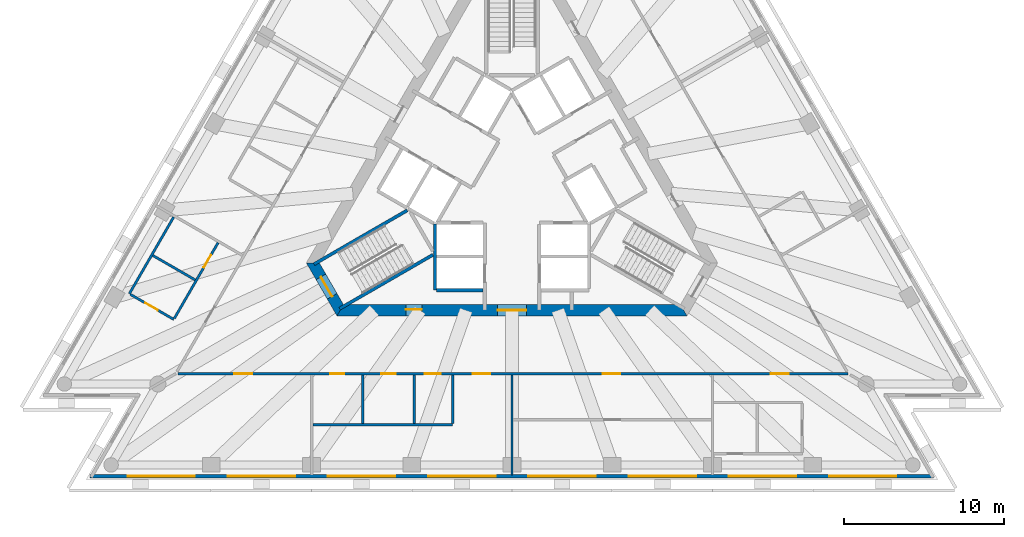
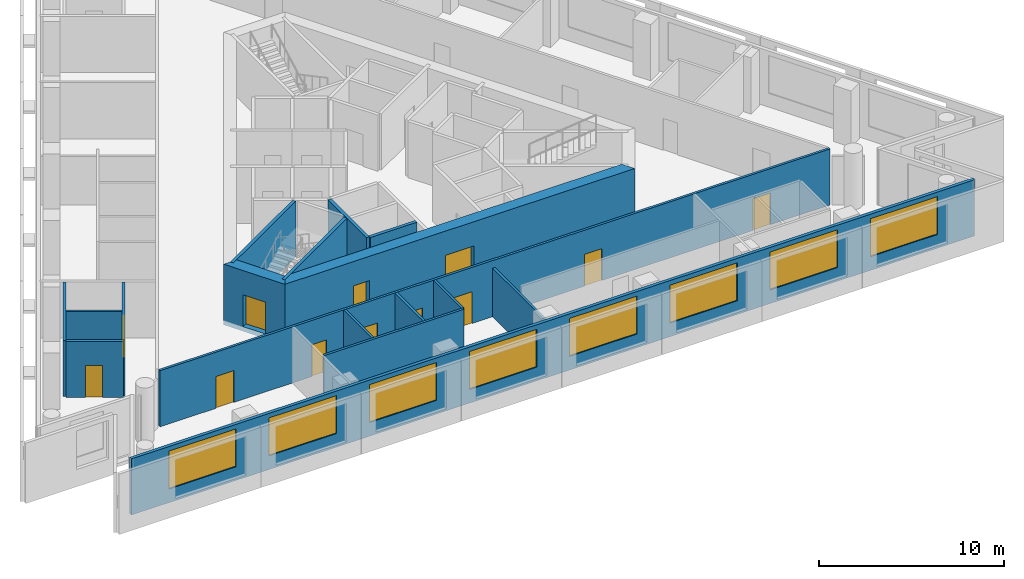
# One storey, part 3 of 10: 17 walls, 12 doors, 8 windows, 20 openings.
"""IFC4 building model written with IfcOpenShell, lengths in metres."""

from ifc_helpers import new_model, si_unit, direction, frame, frame_2d, origin, place, context, subcontext, project, spatial, polyline, rectangle, outline, extrude, material, layer, layer_set, layer_usage, type_object, element, fill, save


model = new_model("IFC4")

# Units and contexts
model_context = context("Model", 3, precision=1e-05, world=origin(), true_north=direction((0.0, 1.0)))
body_context = subcontext(model_context, "Body", "Model", "MODEL_VIEW")
ifc_project = project(units=[si_unit("LENGTHUNIT", "METRE"), si_unit("AREAUNIT", "SQUARE_METRE"), si_unit("VOLUMEUNIT", "CUBIC_METRE"), si_unit("PLANEANGLEUNIT", "RADIAN"), si_unit("MASSUNIT", "GRAM", prefix="KILO")], contexts=[model_context])

# Site, building, storey
site_placement = place(None, origin())
site = spatial("IfcSite", under=ifc_project, at=site_placement, CompositionType="ELEMENT")
building_placement = place(site_placement, origin())
building = spatial("IfcBuilding", under=site, at=building_placement, Name="Triada Interchange Tower", CompositionType="ELEMENT")
storey_placement = place(building_placement, frame((0.0, 0.0, 195.300048828125)))
storey = spatial("IfcBuildingStorey", under=building, at=storey_placement, Name="L45", CompositionType="ELEMENT", Elevation=195.300048828125)

# Walls
ifc_material_1 = material(Name="Concrete C30/37", Category="concrete")
ifc_layer_1 = layer(ifc_material_1, 0.199951171875)
ifc_layer_set_1 = layer_set([ifc_layer_1], Name="CORE WALL 200 EI 120")
wall_type_1 = type_object("IfcWallType", Name="CORE WALL 200 EI 120", PredefinedType="SOLIDWALL", material=ifc_layer_set_1)
wall_1_placement = place(storey_placement, frame((-4.800048828125, -6.89990234375, 0.0), z_axis=(0.0, 0.0, 1.0), x_axis=(0.0, 1.0, 0.0)))
element("IfcWall", 1, at=wall_1_placement, inside=storey, type_object=wall_type_1, Name="Wall L44 48", PredefinedType="SOLIDWALL", context=body_context, shape_type="SweptSolid", body=[
    extrude(rectangle(XDim=4.130859375, YDim=0.199951171875, at=frame_2d((2.0654296875, 0.0))), origin(), (0.0, 0.0, 1.0), 3.699951171875),
])
wall_2_placement = place(storey_placement, frame((-4.699951171875, -6.89990234375, 0.0), z_axis=(0.0, 0.0, 1.0), x_axis=(1.0, 0.0, 0.0)))
element("IfcWall", 2, at=wall_2_placement, inside=storey, type_object=wall_type_1, Name="Wall L44 49", PredefinedType="SOLIDWALL", context=body_context, shape_type="SweptSolid", body=[
    extrude(rectangle(XDim=2.89990234375, YDim=0.199951171875, at=frame_2d((1.449951171875, 0.0))), origin(), (0.0, 0.0, 1.0), 3.699951171875),
])
ifc_layer_2 = layer(ifc_material_1, 0.199951171875)
ifc_layer_set_2 = layer_set([ifc_layer_2], Name="CORE WALL 200 REI 240")
wall_type_2 = type_object("IfcWallType", Name="CORE WALL 200 REI 240", PredefinedType="SOLIDWALL", material=ifc_layer_set_2)
wall_3_placement = place(storey_placement, frame((-12.343994140625, -5.279052734375, 0.0), z_axis=(0.0, 0.0, 1.0), x_axis=(0.866046323291, 0.499963764601, 0.0)))
element("IfcWall", 3, at=wall_3_placement, inside=storey, type_object=wall_type_2, Name="Wall L44 88", PredefinedType="SOLIDWALL", context=body_context, shape_type="SweptSolid", body=[
    extrude(rectangle(XDim=6.71435546875, YDim=0.199951171875, at=frame_2d((3.357177734375, 0.0))), origin(), (0.0, 0.0, 1.0), 3.699951171875),
])
wall_4_placement = place(storey_placement, frame((-10.743896484375, -8.051025390625, 0.0), z_axis=(0.0, 0.0, 1.0), x_axis=(0.865983344943, 0.500072840975, 0.0)))
element("IfcWall", 4, at=wall_4_placement, inside=storey, type_object=wall_type_2, Name="Wall L44 90", PredefinedType="SOLIDWALL", context=body_context, shape_type="SweptSolid", body=[
    extrude(rectangle(XDim=6.71484375, YDim=0.199951171875, at=frame_2d((3.357421875, 0.0))), origin(), (0.0, 0.0, 1.0), 3.699951171875),
])

# Wall, opening, door
ifc_material_2 = material(Name="Concrete C50/60", Category="concrete")
ifc_layer_3 = layer(ifc_material_2, 0.699951171875)
ifc_layer_set_3 = layer_set([ifc_layer_3], Name="Core wall C 700")
wall_type_3 = type_object("IfcWallType", Name="Core wall C 700", PredefinedType="SHEAR", material=ifc_layer_set_3)
wall_5_placement = place(storey_placement, frame((-12.4130859375, -5.199951171875, -0.300048828125), z_axis=(0.0, 0.0, 1.0), x_axis=(0.49999337185, -0.866029230515, 0.0)))
wall_5 = element("IfcWall", 5, at=wall_5_placement, inside=storey, type_object=wall_type_3, Name="Core wall WC03 L45", PredefinedType="SHEAR", context=body_context, shape_type="SweptSolid", body=[
    extrude(outline(polyline([(-0.201904296875, -0.35009765625), (1.703125, -0.35009765625), (3.60791015625, -0.35009765625), (3.2041015625, 0.35009765625), (1.703125, 0.35009765625), (0.201904296875, 0.35009765625), (-0.201904296875, -0.35009765625)])), origin(), (0.0, 0.0, 1.0), 4.0),
])
opening_1_placement = place(wall_5_placement, frame((1.0029296875, 0.0, 0.300048828125)))
opening_1 = element("IfcOpeningElement", 6, at=opening_1_placement, cuts=wall_5, Name="Opening D44-41", PredefinedType="OPENING", context=body_context, shape_type="SweptSolid", body=[
    extrude(rectangle(XDim=1.39990234375, YDim=2.10009765625, at=frame_2d((0.699951171875, 1.050048828125))), frame((0.0, 0.360107421875, 0.0), z_axis=(0.0, -1.0, 0.0), x_axis=(1.0, 0.0, 0.0)), (0.0, 0.0, 1.0), 0.72021484375),
])
ifc_material_3 = material(Name="Steel S235 door leaf", Category="steel")
door_type_1 = type_object("IfcDoorType", Name="STAIR DOOR 1400 EI2 90-C5S200", OperationType="DOUBLE_DOOR_SINGLE_SWING", PredefinedType="DOOR", material=ifc_material_3)
door_1_placement = place(opening_1_placement, origin())
door_1 = element("IfcDoor", 7, at=door_1_placement, inside=storey, type_object=door_type_1, Name="Door D44-41 L45", OperationType="DOUBLE_DOOR_SINGLE_SWING", OverallHeight=2.10009765625, OverallWidth=1.39990234375, PredefinedType="DOOR", context=body_context, shape_type="SweptSolid", body=[
    extrude(rectangle(XDim=1.39990234375, YDim=2.10009765625, at=frame_2d((0.699951171875, 1.050048828125))), frame((0.0, 0.02490234375, 0.0), z_axis=(0.0, -1.0, 0.0), x_axis=(1.0, 0.0, 0.0)), (0.0, 0.0, 1.0), 0.050048828125),
])
fill(opening_1, door_1)

# Wall, openings, doors
wall_6_placement = place(storey_placement, frame((-10.7099609375, -8.14990234375, -0.300048828125), z_axis=(0.0, 0.0, 1.0), x_axis=(1.0, 0.0, 0.0)))
wall_6 = element("IfcWall", 8, at=wall_6_placement, inside=storey, type_object=wall_type_3, Name="Core wall WC04 L45", PredefinedType="SHEAR", context=body_context, shape_type="SweptSolid", body=[
    extrude(outline(polyline([(-0.201904296875, -0.35009765625), (1.781982421875, -0.35009765625), (3.76611328125, -0.35009765625), (5.75, -0.35009765625), (7.734130859375, -0.35009765625), (9.718017578125, -0.35009765625), (11.7021484375, -0.35009765625), (13.68603515625, -0.35009765625), (15.670166015625, -0.35009765625), (17.654052734375, -0.35009765625), (19.63818359375, -0.35009765625), (21.6220703125, -0.35009765625), (21.218017578125, 0.35009765625), (19.307373046875, 0.35009765625), (17.39697265625, 0.35009765625), (15.486328125, 0.35009765625), (13.57568359375, 0.35009765625), (11.665283203125, 0.35009765625), (9.754638671875, 0.35009765625), (7.84423828125, 0.35009765625), (5.93359375, 0.35009765625), (4.02294921875, 0.35009765625), (2.112548828125, 0.35009765625), (0.201904296875, 0.35009765625), (-0.201904296875, -0.35009765625)])), origin(), (0.0, 0.0, 1.0), 4.0),
])
opening_2_placement = place(wall_6_placement, frame((9.81005859375, 0.0, 0.300048828125)))
opening_2 = element("IfcOpeningElement", 9, at=opening_2_placement, cuts=wall_6, Name="Opening D44-39", PredefinedType="OPENING", context=body_context, shape_type="SweptSolid", body=[
    extrude(rectangle(XDim=1.800048828125, YDim=2.10009765625, at=frame_2d((0.89990234375, 1.050048828125))), frame((0.0, 0.360107421875, 0.0), z_axis=(0.0, -1.0, 0.0), x_axis=(1.0, 0.0, 0.0)), (0.0, 0.0, 1.0), 0.72021484375),
])
opening_3_placement = place(wall_6_placement, frame((4.090087890625, 0.0, 0.300048828125)))
opening_3 = element("IfcOpeningElement", 10, at=opening_3_placement, cuts=wall_6, Name="Opening D44-44", PredefinedType="OPENING", context=body_context, shape_type="SweptSolid", body=[
    extrude(rectangle(XDim=1.0, YDim=2.10009765625, at=frame_2d((0.5, 1.050048828125))), frame((0.0, 0.360107421875, 0.0), z_axis=(0.0, -1.0, 0.0), x_axis=(1.0, 0.0, 0.0)), (0.0, 0.0, 1.0), 0.72021484375),
])
door_type_2 = type_object("IfcDoorType", Name="LOBBY DOOR 1800 EI2 90-C5S200", OperationType="DOUBLE_DOOR_SINGLE_SWING", PredefinedType="DOOR", material=ifc_material_3)
door_2_placement = place(opening_2_placement, origin())
door_2 = element("IfcDoor", 11, at=door_2_placement, inside=storey, type_object=door_type_2, Name="Door D44-39 L45", OperationType="DOUBLE_DOOR_SINGLE_SWING", OverallHeight=2.10009765625, OverallWidth=1.800048828125, PredefinedType="DOOR", context=body_context, shape_type="SweptSolid", body=[
    extrude(rectangle(XDim=1.800048828125, YDim=2.10009765625, at=frame_2d((0.89990234375, 1.050048828125))), frame((0.0, 0.02490234375, 0.0), z_axis=(0.0, -1.0, 0.0), x_axis=(1.0, 0.0, 0.0)), (0.0, 0.0, 1.0), 0.050048828125),
])
fill(opening_2, door_2)
door_type_3 = type_object("IfcDoorType", Name="SERVICE DOOR 1000 EI2 45-C5S200", OperationType="NOTDEFINED", PredefinedType="DOOR", material=ifc_material_3)
door_3_placement = place(opening_3_placement, origin())
door_3 = element("IfcDoor", 12, at=door_3_placement, inside=storey, type_object=door_type_3, Name="Door D44-44 L45", OperationType="SINGLE_SWING_RIGHT", OverallHeight=2.10009765625, OverallWidth=1.0, PredefinedType="DOOR", context=body_context, shape_type="SweptSolid", body=[
    extrude(rectangle(XDim=1.0, YDim=2.10009765625, at=frame_2d((0.5, 1.050048828125))), frame((0.0, 0.0751953125, 0.0), z_axis=(0.0, -1.0, 0.0), x_axis=(1.0, 0.0, 0.0)), (0.0, 0.0, 1.0), 0.050048828125),
])
fill(opening_3, door_3)

# Wall, openings, windows
ifc_material_4 = material(Name="Cement board")
ifc_layer_4 = layer(ifc_material_4, 0.02001953125, Name="Cement board cladding")
ifc_material_5 = material(Name="Sheathing board")
ifc_layer_5 = layer(ifc_material_5, 0.014892578125, Name="Sheathing board")
ifc_material_6 = material(Name="Mineral wool")
ifc_layer_6 = layer(ifc_material_6, 0.14990234375, Name="Mineral wool between steel studs")
ifc_material_7 = material(Name="Gypsum board")
ifc_layer_7 = layer(ifc_material_7, 0.014892578125, Name="Plasterboard lining")
ifc_layer_set_4 = layer_set([ifc_layer_4, ifc_layer_5, ifc_layer_6, ifc_layer_7], Name="External wall 200")
ifc_layer_usage = layer_usage(ifc_layer_set_4, "AXIS2", "POSITIVE", -0.10009765625)
wall_type_4 = type_object("IfcWallType", Name="External wall 200", PredefinedType="ELEMENTEDWALL", material=ifc_layer_set_4)
wall_7_placement = place(storey_placement, frame((-26.2958984375, -18.4951171875, 0.0), z_axis=(0.0, 0.0, 1.0), x_axis=(1.0, 0.0, 0.0)))
wall_7 = element("IfcWall", 13, at=wall_7_placement, inside=storey, type_object=wall_type_4, material=ifc_layer_usage, Name="External wall L45 S", PredefinedType="ELEMENTEDWALL", context=body_context, shape_type="SweptSolid", body=[
    extrude(rectangle(XDim=52.57177734375, YDim=0.199951171875, at=frame_2d((26.285888671875, 0.0))), origin(), (0.0, 0.0, 1.0), 3.699951171875),
])
opening_4_placement = place(wall_7_placement, frame((2.326904296875, 0.0, 0.89990234375)))
opening_4 = element("IfcOpeningElement", 14, at=opening_4_placement, cuts=wall_7, Name="Opening WC11", PredefinedType="OPENING", context=body_context, shape_type="SweptSolid", body=[
    extrude(rectangle(XDim=4.199951171875, YDim=2.5, at=frame_2d((2.10009765625, 1.25))), frame((0.0, 0.10986328125, 0.0), z_axis=(0.0, -1.0, 0.0), x_axis=(1.0, 0.0, 0.0)), (0.0, 0.0, 1.0), 0.219970703125),
])
opening_5_placement = place(wall_7_placement, frame((8.574951171875, 0.0, 0.89990234375)))
opening_5 = element("IfcOpeningElement", 15, at=opening_5_placement, cuts=wall_7, Name="Opening WC12", PredefinedType="OPENING", context=body_context, shape_type="SweptSolid", body=[
    extrude(rectangle(XDim=4.199951171875, YDim=2.5, at=frame_2d((2.10009765625, 1.25))), frame((0.0, 0.10986328125, 0.0), z_axis=(0.0, -1.0, 0.0), x_axis=(1.0, 0.0, 0.0)), (0.0, 0.0, 1.0), 0.219970703125),
])
opening_6_placement = place(wall_7_placement, frame((14.823974609375, 0.0, 0.89990234375)))
opening_6 = element("IfcOpeningElement", 16, at=opening_6_placement, cuts=wall_7, Name="Opening WC13", PredefinedType="OPENING", context=body_context, shape_type="SweptSolid", body=[
    extrude(rectangle(XDim=4.199951171875, YDim=2.5, at=frame_2d((2.10009765625, 1.25))), frame((0.0, 0.10986328125, 0.0), z_axis=(0.0, -1.0, 0.0), x_axis=(1.0, 0.0, 0.0)), (0.0, 0.0, 1.0), 0.219970703125),
])
opening_7_placement = place(wall_7_placement, frame((21.072021484375, 0.0, 0.89990234375)))
opening_7 = element("IfcOpeningElement", 17, at=opening_7_placement, cuts=wall_7, Name="Opening WC14", PredefinedType="OPENING", context=body_context, shape_type="SweptSolid", body=[
    extrude(rectangle(XDim=4.199951171875, YDim=2.5, at=frame_2d((2.10009765625, 1.25))), frame((0.0, 0.10986328125, 0.0), z_axis=(0.0, -1.0, 0.0), x_axis=(1.0, 0.0, 0.0)), (0.0, 0.0, 1.0), 0.219970703125),
])
opening_8_placement = place(wall_7_placement, frame((27.320068359375, 0.0, 0.89990234375)))
opening_8 = element("IfcOpeningElement", 18, at=opening_8_placement, cuts=wall_7, Name="Opening WC15", PredefinedType="OPENING", context=body_context, shape_type="SweptSolid", body=[
    extrude(rectangle(XDim=4.199951171875, YDim=2.5, at=frame_2d((2.10009765625, 1.25))), frame((0.0, 0.10986328125, 0.0), z_axis=(0.0, -1.0, 0.0), x_axis=(1.0, 0.0, 0.0)), (0.0, 0.0, 1.0), 0.219970703125),
])
opening_9_placement = place(wall_7_placement, frame((33.568115234375, 0.0, 0.89990234375)))
opening_9 = element("IfcOpeningElement", 19, at=opening_9_placement, cuts=wall_7, Name="Opening WC16", PredefinedType="OPENING", context=body_context, shape_type="SweptSolid", body=[
    extrude(rectangle(XDim=4.199951171875, YDim=2.5, at=frame_2d((2.10009765625, 1.25))), frame((0.0, 0.10986328125, 0.0), z_axis=(0.0, -1.0, 0.0), x_axis=(1.0, 0.0, 0.0)), (0.0, 0.0, 1.0), 0.219970703125),
])
opening_10_placement = place(wall_7_placement, frame((39.81689453125, 0.0, 0.89990234375)))
opening_10 = element("IfcOpeningElement", 20, at=opening_10_placement, cuts=wall_7, Name="Opening WC17", PredefinedType="OPENING", context=body_context, shape_type="SweptSolid", body=[
    extrude(rectangle(XDim=4.199951171875, YDim=2.5, at=frame_2d((2.10009765625, 1.25))), frame((0.0, 0.10986328125, 0.0), z_axis=(0.0, -1.0, 0.0), x_axis=(1.0, 0.0, 0.0)), (0.0, 0.0, 1.0), 0.219970703125),
])
opening_11_placement = place(wall_7_placement, frame((46.06494140625, 0.0, 0.89990234375)))
opening_11 = element("IfcOpeningElement", 21, at=opening_11_placement, cuts=wall_7, Name="Opening WC18", PredefinedType="OPENING", context=body_context, shape_type="SweptSolid", body=[
    extrude(rectangle(XDim=4.199951171875, YDim=2.5, at=frame_2d((2.10009765625, 1.25))), frame((0.0, 0.10986328125, 0.0), z_axis=(0.0, -1.0, 0.0), x_axis=(1.0, 0.0, 0.0)), (0.0, 0.0, 1.0), 0.219970703125),
])
ifc_material_8 = material(Name="Double glazed aluminium window", Category="aluminium")
window_type = type_object("IfcWindowType", Name="Ribbon window C face", PartitioningType="SINGLE_PANEL", PredefinedType="WINDOW", material=ifc_material_8)
window_1_placement = place(opening_4_placement, origin())
window_1 = element("IfcWindow", 22, at=window_1_placement, inside=storey, type_object=window_type, Name="Window L45 S 1", OverallHeight=2.5, OverallWidth=4.199951171875, PartitioningType="SINGLE_PANEL", PredefinedType="WINDOW", context=body_context, shape_type="SweptSolid", body=[
    extrude(rectangle(XDim=4.199951171875, YDim=2.5, at=frame_2d((2.10009765625, 1.25))), frame((0.0, 0.030029296875, 0.0), z_axis=(0.0, -1.0, 0.0), x_axis=(1.0, 0.0, 0.0)), (0.0, 0.0, 1.0), 0.06005859375),
])
fill(opening_4, window_1)
window_2_placement = place(opening_5_placement, origin())
window_2 = element("IfcWindow", 23, at=window_2_placement, inside=storey, type_object=window_type, Name="Window L45 S 2", OverallHeight=2.5, OverallWidth=4.199951171875, PartitioningType="SINGLE_PANEL", PredefinedType="WINDOW", context=body_context, shape_type="SweptSolid", body=[
    extrude(rectangle(XDim=4.199951171875, YDim=2.5, at=frame_2d((2.10009765625, 1.25))), frame((0.0, 0.030029296875, 0.0), z_axis=(0.0, -1.0, 0.0), x_axis=(1.0, 0.0, 0.0)), (0.0, 0.0, 1.0), 0.06005859375),
])
fill(opening_5, window_2)
window_3_placement = place(opening_6_placement, origin())
window_3 = element("IfcWindow", 24, at=window_3_placement, inside=storey, type_object=window_type, Name="Window L45 S 3", OverallHeight=2.5, OverallWidth=4.199951171875, PartitioningType="SINGLE_PANEL", PredefinedType="WINDOW", context=body_context, shape_type="SweptSolid", body=[
    extrude(rectangle(XDim=4.199951171875, YDim=2.5, at=frame_2d((2.10009765625, 1.25))), frame((0.0, 0.030029296875, 0.0), z_axis=(0.0, -1.0, 0.0), x_axis=(1.0, 0.0, 0.0)), (0.0, 0.0, 1.0), 0.06005859375),
])
fill(opening_6, window_3)
window_4_placement = place(opening_7_placement, origin())
window_4 = element("IfcWindow", 25, at=window_4_placement, inside=storey, type_object=window_type, Name="Window L45 S 4", OverallHeight=2.5, OverallWidth=4.199951171875, PartitioningType="SINGLE_PANEL", PredefinedType="WINDOW", context=body_context, shape_type="SweptSolid", body=[
    extrude(rectangle(XDim=4.199951171875, YDim=2.5, at=frame_2d((2.10009765625, 1.25))), frame((0.0, 0.030029296875, 0.0), z_axis=(0.0, -1.0, 0.0), x_axis=(1.0, 0.0, 0.0)), (0.0, 0.0, 1.0), 0.06005859375),
])
fill(opening_7, window_4)
window_5_placement = place(opening_8_placement, origin())
window_5 = element("IfcWindow", 26, at=window_5_placement, inside=storey, type_object=window_type, Name="Window L45 S 5", OverallHeight=2.5, OverallWidth=4.199951171875, PartitioningType="SINGLE_PANEL", PredefinedType="WINDOW", context=body_context, shape_type="SweptSolid", body=[
    extrude(rectangle(XDim=4.199951171875, YDim=2.5, at=frame_2d((2.10009765625, 1.25))), frame((0.0, 0.030029296875, 0.0), z_axis=(0.0, -1.0, 0.0), x_axis=(1.0, 0.0, 0.0)), (0.0, 0.0, 1.0), 0.06005859375),
])
fill(opening_8, window_5)
window_6_placement = place(opening_9_placement, origin())
window_6 = element("IfcWindow", 27, at=window_6_placement, inside=storey, type_object=window_type, Name="Window L45 S 6", OverallHeight=2.5, OverallWidth=4.199951171875, PartitioningType="SINGLE_PANEL", PredefinedType="WINDOW", context=body_context, shape_type="SweptSolid", body=[
    extrude(rectangle(XDim=4.199951171875, YDim=2.5, at=frame_2d((2.10009765625, 1.25))), frame((0.0, 0.030029296875, 0.0), z_axis=(0.0, -1.0, 0.0), x_axis=(1.0, 0.0, 0.0)), (0.0, 0.0, 1.0), 0.06005859375),
])
fill(opening_9, window_6)
window_7_placement = place(opening_10_placement, origin())
window_7 = element("IfcWindow", 28, at=window_7_placement, inside=storey, type_object=window_type, Name="Window L45 S 7", OverallHeight=2.5, OverallWidth=4.199951171875, PartitioningType="SINGLE_PANEL", PredefinedType="WINDOW", context=body_context, shape_type="SweptSolid", body=[
    extrude(rectangle(XDim=4.199951171875, YDim=2.5, at=frame_2d((2.10009765625, 1.25))), frame((0.0, 0.030029296875, 0.0), z_axis=(0.0, -1.0, 0.0), x_axis=(1.0, 0.0, 0.0)), (0.0, 0.0, 1.0), 0.06005859375),
])
fill(opening_10, window_7)
window_8_placement = place(opening_11_placement, origin())
window_8 = element("IfcWindow", 29, at=window_8_placement, inside=storey, type_object=window_type, Name="Window L45 S 8", OverallHeight=2.5, OverallWidth=4.199951171875, PartitioningType="SINGLE_PANEL", PredefinedType="WINDOW", context=body_context, shape_type="SweptSolid", body=[
    extrude(rectangle(XDim=4.199951171875, YDim=2.5, at=frame_2d((2.10009765625, 1.25))), frame((0.0, 0.030029296875, 0.0), z_axis=(0.0, -1.0, 0.0), x_axis=(1.0, 0.0, 0.0)), (0.0, 0.0, 1.0), 0.06005859375),
])
fill(opening_11, window_8)

# Wall, openings, doors
ifc_material_9 = material(Name="Gypsum board partition")
ifc_layer_8 = layer(ifc_material_9, 0.14990234375)
ifc_layer_set_5 = layer_set([ifc_layer_8], Name="PARTITION 150 EI 180")
wall_type_5 = type_object("IfcWallType", Name="PARTITION 150 EI 180", PredefinedType="PARTITIONING", material=ifc_layer_set_5)
wall_8_placement = place(storey_placement, frame((-20.80810546875, -12.10009765625, 0.0), z_axis=(0.0, 0.0, 1.0), x_axis=(1.0, 0.0, 0.0)))
wall_8 = element("IfcWall", 30, at=wall_8_placement, inside=storey, type_object=wall_type_5, Name="Wall L44 5", PredefinedType="PARTITIONING", context=body_context, shape_type="SweptSolid", body=[
    extrude(rectangle(XDim=41.76611328125, YDim=0.14990234375, at=frame_2d((20.883056640625, 0.0))), origin(), (0.0, 0.0, 1.0), 3.699951171875),
])
opening_12_placement = place(wall_8_placement, frame((3.5, 0.0, 0.0)))
opening_12 = element("IfcOpeningElement", 31, at=opening_12_placement, cuts=wall_8, Name="Opening D44-11", PredefinedType="OPENING", context=body_context, shape_type="SweptSolid", body=[
    extrude(rectangle(XDim=1.10009765625, YDim=2.10009765625, at=frame_2d((0.550048828125, 1.050048828125))), frame((0.0, 0.0849609375, 0.0), z_axis=(0.0, -1.0, 0.0), x_axis=(1.0, 0.0, 0.0)), (0.0, 0.0, 1.0), 0.169921875),
])
opening_13_placement = place(wall_8_placement, frame((18.362060546875, 0.0, 0.0)))
opening_13 = element("IfcOpeningElement", 32, at=opening_13_placement, cuts=wall_8, Name="Opening D44-12", PredefinedType="OPENING", context=body_context, shape_type="SweptSolid", body=[
    extrude(rectangle(XDim=1.10009765625, YDim=2.10009765625, at=frame_2d((0.550048828125, 1.050048828125))), frame((0.0, 0.0849609375, 0.0), z_axis=(0.0, -1.0, 0.0), x_axis=(1.0, 0.0, 0.0)), (0.0, 0.0, 1.0), 0.169921875),
])
opening_14_placement = place(wall_8_placement, frame((9.4619140625, 0.0, 0.0)))
opening_14 = element("IfcOpeningElement", 33, at=opening_14_placement, cuts=wall_8, Name="Opening D44-13", PredefinedType="OPENING", context=body_context, shape_type="SweptSolid", body=[
    extrude(rectangle(XDim=0.89990234375, YDim=2.10009765625, at=frame_2d((0.449951171875, 1.050048828125))), frame((0.0, 0.0849609375, 0.0), z_axis=(0.0, -1.0, 0.0), x_axis=(1.0, 0.0, 0.0)), (0.0, 0.0, 1.0), 0.169921875),
])
opening_15_placement = place(wall_8_placement, frame((12.662109375, 0.0, 0.0)))
opening_15 = element("IfcOpeningElement", 34, at=opening_15_placement, cuts=wall_8, Name="Opening D44-14", PredefinedType="OPENING", context=body_context, shape_type="SweptSolid", body=[
    extrude(rectangle(XDim=0.89990234375, YDim=2.10009765625, at=frame_2d((0.449951171875, 1.050048828125))), frame((0.0, 0.0849609375, 0.0), z_axis=(0.0, -1.0, 0.0), x_axis=(1.0, 0.0, 0.0)), (0.0, 0.0, 1.0), 0.169921875),
])
opening_16_placement = place(wall_8_placement, frame((15.362060546875, 0.0, 0.0)))
opening_16 = element("IfcOpeningElement", 35, at=opening_16_placement, cuts=wall_8, Name="Opening D44-15", PredefinedType="OPENING", context=body_context, shape_type="SweptSolid", body=[
    extrude(rectangle(XDim=1.0, YDim=2.10009765625, at=frame_2d((0.5, 1.050048828125))), frame((0.0, 0.0849609375, 0.0), z_axis=(0.0, -1.0, 0.0), x_axis=(1.0, 0.0, 0.0)), (0.0, 0.0, 1.0), 0.169921875),
])
opening_17_placement = place(wall_8_placement, frame((26.4580078125, 0.0, 0.0)))
opening_17 = element("IfcOpeningElement", 36, at=opening_17_placement, cuts=wall_8, Name="Opening D44-16", PredefinedType="OPENING", context=body_context, shape_type="SweptSolid", body=[
    extrude(rectangle(XDim=1.10009765625, YDim=2.10009765625, at=frame_2d((0.550048828125, 1.050048828125))), frame((0.0, 0.0849609375, 0.0), z_axis=(0.0, -1.0, 0.0), x_axis=(1.0, 0.0, 0.0)), (0.0, 0.0, 1.0), 0.169921875),
])
opening_18_placement = place(wall_8_placement, frame((36.955078125, 0.0, 0.0)))
opening_18 = element("IfcOpeningElement", 37, at=opening_18_placement, cuts=wall_8, Name="Opening D44-18", PredefinedType="OPENING", context=body_context, shape_type="SweptSolid", body=[
    extrude(rectangle(XDim=1.10009765625, YDim=2.10009765625, at=frame_2d((0.550048828125, 1.050048828125))), frame((0.0, 0.0849609375, 0.0), z_axis=(0.0, -1.0, 0.0), x_axis=(1.0, 0.0, 0.0)), (0.0, 0.0, 1.0), 0.169921875),
])
door_type_4 = type_object("IfcDoorType", Name="ROOM DOOR 1000 EI2 90-C5S200", OperationType="NOTDEFINED", PredefinedType="DOOR", material=ifc_material_3)
door_4_placement = place(opening_16_placement, origin())
door_4 = element("IfcDoor", 38, at=door_4_placement, inside=storey, type_object=door_type_4, Name="Door D44-15 L45", OperationType="SINGLE_SWING_LEFT", OverallHeight=2.10009765625, OverallWidth=1.0, PredefinedType="DOOR", context=body_context, shape_type="SweptSolid", body=[
    extrude(rectangle(XDim=1.0, YDim=2.10009765625, at=frame_2d((0.5, 1.050048828125))), frame((0.0, 0.02490234375, 0.0), z_axis=(0.0, -1.0, 0.0), x_axis=(1.0, 0.0, 0.0)), (0.0, 0.0, 1.0), 0.050048828125),
])
fill(opening_16, door_4)
door_type_5 = type_object("IfcDoorType", Name="ROOM DOOR 900 EI2 90-C5S200", OperationType="NOTDEFINED", PredefinedType="DOOR", material=ifc_material_3)
door_5_placement = place(opening_14_placement, origin())
door_5 = element("IfcDoor", 39, at=door_5_placement, inside=storey, type_object=door_type_5, Name="Door D44-13 L45", OperationType="SINGLE_SWING_RIGHT", OverallHeight=2.10009765625, OverallWidth=0.89990234375, PredefinedType="DOOR", context=body_context, shape_type="SweptSolid", body=[
    extrude(rectangle(XDim=0.89990234375, YDim=2.10009765625, at=frame_2d((0.449951171875, 1.050048828125))), frame((0.0, 0.02490234375, 0.0), z_axis=(0.0, -1.0, 0.0), x_axis=(1.0, 0.0, 0.0)), (0.0, 0.0, 1.0), 0.050048828125),
])
fill(opening_14, door_5)
door_6_placement = place(opening_15_placement, origin())
door_6 = element("IfcDoor", 40, at=door_6_placement, inside=storey, type_object=door_type_5, Name="Door D44-14 L45", OperationType="SINGLE_SWING_RIGHT", OverallHeight=2.10009765625, OverallWidth=0.89990234375, PredefinedType="DOOR", context=body_context, shape_type="SweptSolid", body=[
    extrude(rectangle(XDim=0.89990234375, YDim=2.10009765625, at=frame_2d((0.449951171875, 1.050048828125))), frame((0.0, 0.02490234375, 0.0), z_axis=(0.0, -1.0, 0.0), x_axis=(1.0, 0.0, 0.0)), (0.0, 0.0, 1.0), 0.050048828125),
])
fill(opening_15, door_6)
door_type_6 = type_object("IfcDoorType", Name="TENANCY ENTRANCE DOOR 1100 EI2 90-C5S200", OperationType="NOTDEFINED", PredefinedType="DOOR", material=ifc_material_3)
door_7_placement = place(opening_12_placement, origin())
door_7 = element("IfcDoor", 41, at=door_7_placement, inside=storey, type_object=door_type_6, Name="Door D44-11 L45", OperationType="SINGLE_SWING_RIGHT", OverallHeight=2.10009765625, OverallWidth=1.10009765625, PredefinedType="DOOR", context=body_context, shape_type="SweptSolid", body=[
    extrude(rectangle(XDim=1.10009765625, YDim=2.10009765625, at=frame_2d((0.550048828125, 1.050048828125))), frame((0.0, 0.02490234375, 0.0), z_axis=(0.0, -1.0, 0.0), x_axis=(1.0, 0.0, 0.0)), (0.0, 0.0, 1.0), 0.050048828125),
])
fill(opening_12, door_7)
door_8_placement = place(opening_13_placement, origin())
door_8 = element("IfcDoor", 42, at=door_8_placement, inside=storey, type_object=door_type_6, Name="Door D44-12 L45", OperationType="SINGLE_SWING_LEFT", OverallHeight=2.10009765625, OverallWidth=1.10009765625, PredefinedType="DOOR", context=body_context, shape_type="SweptSolid", body=[
    extrude(rectangle(XDim=1.10009765625, YDim=2.10009765625, at=frame_2d((0.550048828125, 1.050048828125))), frame((0.0, 0.02490234375, 0.0), z_axis=(0.0, -1.0, 0.0), x_axis=(1.0, 0.0, 0.0)), (0.0, 0.0, 1.0), 0.050048828125),
])
fill(opening_13, door_8)
door_9_placement = place(opening_17_placement, origin())
door_9 = element("IfcDoor", 43, at=door_9_placement, inside=storey, type_object=door_type_6, Name="Door D44-16 L45", OperationType="SINGLE_SWING_LEFT", OverallHeight=2.10009765625, OverallWidth=1.10009765625, PredefinedType="DOOR", context=body_context, shape_type="SweptSolid", body=[
    extrude(rectangle(XDim=1.10009765625, YDim=2.10009765625, at=frame_2d((0.550048828125, 1.050048828125))), frame((0.0, 0.02490234375, 0.0), z_axis=(0.0, -1.0, 0.0), x_axis=(1.0, 0.0, 0.0)), (0.0, 0.0, 1.0), 0.050048828125),
])
fill(opening_17, door_9)
door_10_placement = place(opening_18_placement, origin())
door_10 = element("IfcDoor", 44, at=door_10_placement, inside=storey, type_object=door_type_6, Name="Door D44-18 L45", OperationType="SINGLE_SWING_LEFT", OverallHeight=2.10009765625, OverallWidth=1.10009765625, PredefinedType="DOOR", context=body_context, shape_type="SweptSolid", body=[
    extrude(rectangle(XDim=1.10009765625, YDim=2.10009765625, at=frame_2d((0.550048828125, 1.050048828125))), frame((0.0, 0.02490234375, 0.0), z_axis=(0.0, -1.0, 0.0), x_axis=(1.0, 0.0, 0.0)), (0.0, 0.0, 1.0), 0.050048828125),
])
fill(opening_18, door_10)

# Walls
wall_9_placement = place(storey_placement, frame((-12.4208984375, -15.297119140625, 0.0), z_axis=(0.0, 0.0, 1.0), x_axis=(1.0, 0.0, 0.0)))
element("IfcWall", 45, at=wall_9_placement, inside=storey, type_object=wall_type_5, Name="Wall L44 14", PredefinedType="PARTITIONING", context=body_context, shape_type="SweptSolid", body=[
    extrude(rectangle(XDim=8.724853515625, YDim=0.14990234375, at=frame_2d((4.3623046875, 0.0))), origin(), (0.0, 0.0, 1.0), 3.699951171875),
])
for number, where, z_axis, x_axis, name in (
    (46, (-9.2958984375, -15.221923828125, 0.0), (0.0, 0.0, 1.0), (0.0, 1.0, 0.0), "Wall L44 16"),
    (47, (-3.696044921875, -15.221923828125, 0.0), (0.0, 0.0, 1.0), (0.0, 1.0, 0.0), "Wall L44 17"),
    (48, (-6.095947265625, -15.221923828125, 0.0), (0.0, 0.0, 1.0), (0.0, 1.0, 0.0), "Wall L44 18"),
):
    element("IfcWall", number, at=place(storey_placement, frame(where, z_axis=z_axis, x_axis=x_axis)), inside=storey, type_object=wall_type_5, Name=name, PredefinedType="PARTITIONING", context=body_context, shape_type="SweptSolid", body=[
        extrude(rectangle(XDim=3.046875, YDim=0.14990234375, at=frame_2d((1.5234375, 0.0))), origin(), (0.0, 0.0, 1.0), 3.699951171875),
    ])
wall_10_placement = place(storey_placement, frame((0.0, -18.4150390625, 0.0), z_axis=(0.0, 0.0, 1.0), x_axis=(0.0, 1.0, 0.0)))
element("IfcWall", 49, at=wall_10_placement, inside=storey, type_object=wall_type_5, Name="Wall L44 19", PredefinedType="PARTITIONING", context=body_context, shape_type="SweptSolid", body=[
    extrude(rectangle(XDim=6.239990234375, YDim=0.14990234375, at=frame_2d((3.1201171875, 0.0))), origin(), (0.0, 0.0, 1.0), 3.199951171875),
])
ifc_layer_9 = layer(ifc_material_9, 0.14990234375)
ifc_layer_set_6 = layer_set([ifc_layer_9], Name="PARTITION 150 EI 90")
wall_type_6 = type_object("IfcWallType", Name="PARTITION 150 EI 90", PredefinedType="PARTITIONING", material=ifc_layer_set_6)
wall_11_placement = place(storey_placement, frame((-23.85498046875, -7.123046875, 0.0), z_axis=(0.0, 0.0, 1.0), x_axis=(0.499994082372, 0.866028820302, 0.0)))
element("IfcWall", 50, at=wall_11_placement, inside=storey, type_object=wall_type_6, Name="Wall L44 27", PredefinedType="PARTITIONING", context=body_context, shape_type="SweptSolid", body=[
    extrude(rectangle(XDim=5.52392578125, YDim=0.14990234375, at=frame_2d((2.761962890625, 0.0))), origin(), (0.0, 0.0, 1.0), 3.699951171875),
])

# Wall, opening, door
wall_12_placement = place(storey_placement, frame((-23.7900390625, -7.160888671875, 0.0), z_axis=(0.0, 0.0, 1.0), x_axis=(0.866050172578, -0.499957096737, 0.0)))
wall_12 = element("IfcWall", 51, at=wall_12_placement, inside=storey, type_object=wall_type_6, Name="Wall L44 29", PredefinedType="PARTITIONING", context=body_context, shape_type="SweptSolid", body=[
    extrude(rectangle(XDim=3.122314453125, YDim=0.14990234375, at=frame_2d((1.56103515625, 0.0))), origin(), (0.0, 0.0, 1.0), 3.699951171875),
])
opening_19_placement = place(wall_12_placement, frame((1.072021484375, 0.0, 0.0)))
opening_19 = element("IfcOpeningElement", 52, at=opening_19_placement, cuts=wall_12, Name="Opening D44-38", PredefinedType="OPENING", context=body_context, shape_type="SweptSolid", body=[
    extrude(rectangle(XDim=0.89990234375, YDim=2.10009765625, at=frame_2d((0.449951171875, 1.050048828125))), frame((0.0, 0.0849609375, 0.0), z_axis=(0.0, -1.0, 0.0), x_axis=(1.0, 0.0, 0.0)), (0.0, 0.0, 1.0), 0.169921875),
])
door_type_7 = type_object("IfcDoorType", Name="ROOM DOOR 900 EI2 45-C5S200", OperationType="NOTDEFINED", PredefinedType="DOOR", material=ifc_material_3)
door_11_placement = place(opening_19_placement, origin())
door_11 = element("IfcDoor", 53, at=door_11_placement, inside=storey, type_object=door_type_7, Name="Door D44-38 L45", OperationType="SINGLE_SWING_LEFT", OverallHeight=2.10009765625, OverallWidth=0.89990234375, PredefinedType="DOOR", context=body_context, shape_type="SweptSolid", body=[
    extrude(rectangle(XDim=0.89990234375, YDim=2.10009765625, at=frame_2d((0.449951171875, 1.050048828125))), frame((0.0, 0.02490234375, 0.0), z_axis=(0.0, -1.0, 0.0), x_axis=(1.0, 0.0, 0.0)), (0.0, 0.0, 1.0), 0.050048828125),
])
fill(opening_19, door_11)

wall_13_placement = place(storey_placement, frame((-21.049072265625, -8.656982421875, 0.0), z_axis=(0.0, 0.0, 1.0), x_axis=(0.500002931134, 0.866023711487, 0.0)))
wall_13 = element("IfcWall", 54, at=wall_13_placement, inside=storey, type_object=wall_type_6, Name="Wall L44 30", PredefinedType="PARTITIONING", context=body_context, shape_type="SweptSolid", body=[
    extrude(rectangle(XDim=5.4501953125, YDim=0.14990234375, at=frame_2d((2.72509765625, 0.0))), origin(), (0.0, 0.0, 1.0), 3.699951171875),
])
opening_20_placement = place(wall_13_placement, frame((3.675048828125, 0.0, 0.0)))
opening_20 = element("IfcOpeningElement", 55, at=opening_20_placement, cuts=wall_13, Name="Opening D44-37", PredefinedType="OPENING", context=body_context, shape_type="SweptSolid", body=[
    extrude(rectangle(XDim=0.89990234375, YDim=2.10009765625, at=frame_2d((0.449951171875, 1.050048828125))), frame((0.0, 0.0849609375, 0.0), z_axis=(0.0, -1.0, 0.0), x_axis=(1.0, 0.0, 0.0)), (0.0, 0.0, 1.0), 0.169921875),
])
door_12_placement = place(opening_20_placement, origin())
door_12 = element("IfcDoor", 56, at=door_12_placement, inside=storey, type_object=door_type_7, Name="Door D44-37 L45", OperationType="SINGLE_SWING_RIGHT", OverallHeight=2.10009765625, OverallWidth=0.89990234375, PredefinedType="DOOR", context=body_context, shape_type="SweptSolid", body=[
    extrude(rectangle(XDim=0.89990234375, YDim=2.10009765625, at=frame_2d((0.449951171875, 1.050048828125))), frame((0.0, 0.02490234375, 0.0), z_axis=(0.0, -1.0, 0.0), x_axis=(1.0, 0.0, 0.0)), (0.0, 0.0, 1.0), 0.050048828125),
])
fill(opening_20, door_12)

# Wall
wall_14_placement = place(storey_placement, frame((-22.389892578125, -4.736083984375, 0.0), z_axis=(0.0, 0.0, 1.0), x_axis=(0.865976105257, -0.500085377835, 0.0)))
element("IfcWall", 57, at=wall_14_placement, inside=storey, type_object=wall_type_6, Name="Wall L44 32", PredefinedType="PARTITIONING", context=body_context, shape_type="SweptSolid", body=[
    extrude(rectangle(XDim=3.04736328125, YDim=0.14990234375, at=frame_2d((1.523681640625, 0.0))), origin(), (0.0, 0.0, 1.0), 3.699951171875),
])

save(model, "model.ifc")
